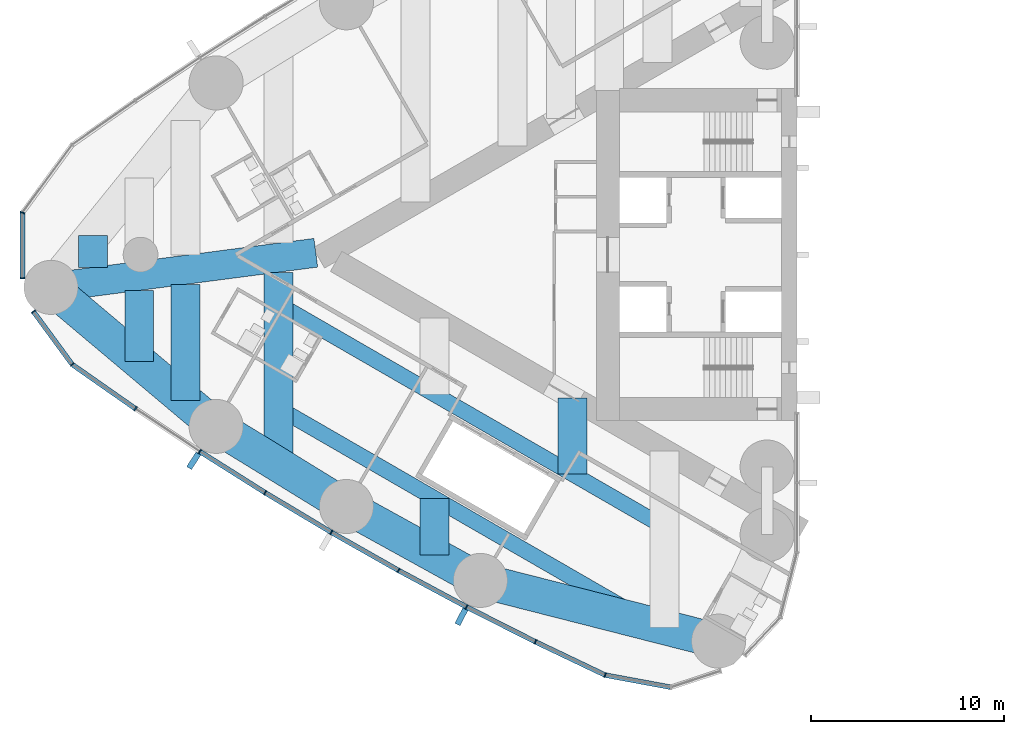
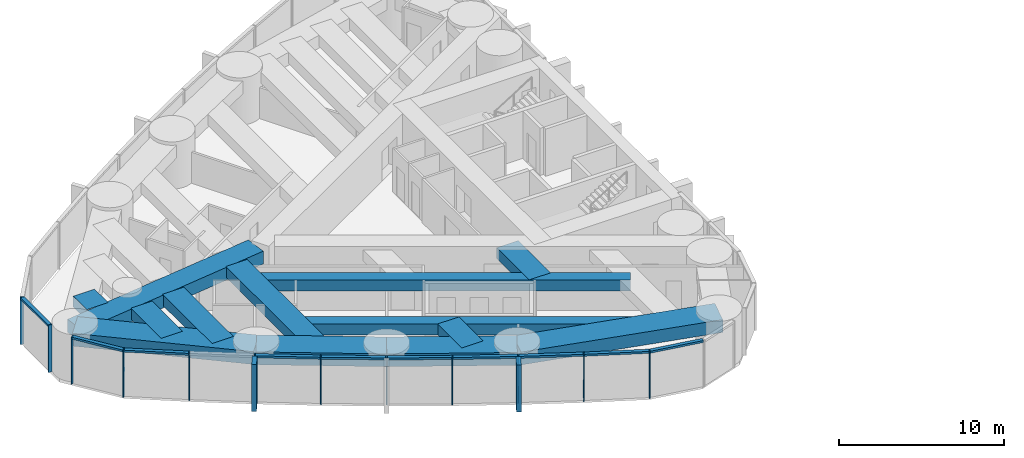
# One storey, part 2 of 19: 24 members, 13 beams, 2 elements without a shape of their own.
"""IFC4 building model written with IfcOpenShell, lengths in metres."""

from ifc_helpers import new_model, si_unit, direction, frame, origin, origin_2d, place, context, subcontext, project, spatial, rectangle, hollow_rectangle, extrude, material, material_profile, profile_set, type_object, element, aggregate, save


model = new_model("IFC4")

# Units and contexts
model_context = context("Model", 3, precision=1e-05, world=origin(), true_north=direction((0.0, 1.0)))
body_context = subcontext(model_context, "Body", "Model", "MODEL_VIEW")
ifc_project = project(units=[si_unit("LENGTHUNIT", "METRE"), si_unit("AREAUNIT", "SQUARE_METRE"), si_unit("VOLUMEUNIT", "CUBIC_METRE"), si_unit("PLANEANGLEUNIT", "RADIAN"), si_unit("MASSUNIT", "GRAM", prefix="KILO")], contexts=[model_context])

# Site, building, storey
site_placement = place(None, origin())
site = spatial("IfcSite", under=ifc_project, at=site_placement, CompositionType="ELEMENT")
building_placement = place(site_placement, origin())
building = spatial("IfcBuilding", under=site, at=building_placement, Name="Lancet Gate Hotel", CompositionType="ELEMENT")
storey_placement = place(building_placement, frame((0.0, 0.0, 163.300048828125)))
storey = spatial("IfcBuildingStorey", under=building, at=storey_placement, Name="L43", CompositionType="ELEMENT", Elevation=163.300048828125)

# Curtain wall, members
ifc_material_1 = material(Name="Aluminium curtain wall", Category="aluminium")
curtain_wall_type = type_object("IfcCurtainWallType", Name="Tower unitised curtain wall", PredefinedType="USERDEFINED", material=ifc_material_1)
curtain_wall_1_placement = place(storey_placement, origin())
curtain_wall_1 = element("IfcCurtainWall", 1, at=curtain_wall_1_placement, inside=storey, type_object=curtain_wall_type, Name="T1 L43 curtain wall 2", ObjectType="UNITISED CURTAIN WALL", PredefinedType="USERDEFINED")
ifc_material_2 = material(Name="Aluminium mullion", Category="aluminium")
ifc_material_profile_1 = material_profile(ifc_material_2, rectangle(XDim=0.06494140625, YDim=0.25, at=origin_2d()), Name="MULLION 65x250")
ifc_profile_set_1 = profile_set([ifc_material_profile_1], Name="Aluminium mullion")
member_type_1 = type_object("IfcMemberType", Name="Aluminium mullion 65x250", PredefinedType="MULLION", material=ifc_profile_set_1)
member_1_placement = place(storey_placement, frame((-67.61572265625, 2.177490234375, 0.0), z_axis=(0.0, 0.0, 1.0), x_axis=(-0.349199411078, -0.937048435943, 0.0)))
member_1 = element("IfcMember", 2, at=member_1_placement, type_object=member_type_1, Name="T1 L43 curtain wall 2 mullion 12", PredefinedType="MULLION", context=body_context, shape_type="SweptSolid", body=[
    extrude(rectangle(XDim=0.06494140625, YDim=0.25, at=origin_2d()), origin(), (0.0, 0.0, 1.0), 3.5),
])
member_2_placement = place(storey_placement, frame((-67.61572265625, -1.220458984375, 0.0), z_axis=(0.0, 0.0, 1.0), x_axis=(0.0, -1.0, 0.0)))
member_2 = element("IfcMember", 3, at=member_2_placement, type_object=member_type_1, Name="T1 L43 curtain wall 2 mullion 13", PredefinedType="MULLION", context=body_context, shape_type="SweptSolid", body=[
    extrude(rectangle(XDim=0.06494140625, YDim=0.25, at=origin_2d()), origin(), (0.0, 0.0, 1.0), 3.5),
])

curtain_wall_2_placement = place(storey_placement, origin())
curtain_wall_2 = element("IfcCurtainWall", 4, at=curtain_wall_2_placement, inside=storey, type_object=curtain_wall_type, Name="T1 L43 curtain wall 3", ObjectType="UNITISED CURTAIN WALL", PredefinedType="USERDEFINED")
member_3_placement = place(storey_placement, frame((-67.05029296875, -2.948486328125, 0.0), z_axis=(0.0, 0.0, 1.0), x_axis=(0.591299785592, -0.806451835858, 0.0)))
member_3 = element("IfcMember", 5, at=member_3_placement, type_object=member_type_1, Name="T1 L43 curtain wall 3 mullion 1", PredefinedType="MULLION", context=body_context, shape_type="SweptSolid", body=[
    extrude(rectangle(XDim=0.06494140625, YDim=0.25, at=origin_2d()), origin(), (0.0, 0.0, 1.0), 3.5),
])
member_4_placement = place(storey_placement, frame((-65.040283203125, -5.68994140625, 0.0), z_axis=(0.0, 0.0, 1.0), x_axis=(0.724381882759, -0.689398932354, 0.0)))
member_4 = element("IfcMember", 6, at=member_4_placement, type_object=member_type_1, Name="T1 L43 curtain wall 3 mullion 2", PredefinedType="MULLION", context=body_context, shape_type="SweptSolid", body=[
    extrude(rectangle(XDim=0.06494140625, YDim=0.25, at=origin_2d()), origin(), (0.0, 0.0, 1.0), 3.5),
])
member_5_placement = place(storey_placement, frame((-61.7626953125, -7.980712890625, 0.0), z_axis=(0.0, 0.0, 1.0), x_axis=(0.826312172542, -0.563212387568, 0.0)))
member_5 = element("IfcMember", 7, at=member_5_placement, type_object=member_type_1, Name="T1 L43 curtain wall 3 mullion 3", PredefinedType="MULLION", context=body_context, shape_type="SweptSolid", body=[
    extrude(rectangle(XDim=0.06494140625, YDim=0.25, at=origin_2d()), origin(), (0.0, 0.0, 1.0), 3.5),
])
member_6_placement = place(storey_placement, frame((-58.43212890625, -10.194091796875, 0.0), z_axis=(0.0, 0.0, 1.0), x_axis=(0.839331119324, -0.54362052218, 0.0)))
member_6 = element("IfcMember", 8, at=member_6_placement, type_object=member_type_1, Name="T1 L43 curtain wall 3 mullion 4", PredefinedType="MULLION", context=body_context, shape_type="SweptSolid", body=[
    extrude(rectangle(XDim=0.06494140625, YDim=0.25, at=origin_2d()), origin(), (0.0, 0.0, 1.0), 3.5),
])
member_7_placement = place(storey_placement, frame((-55.05029296875, -12.328369140625, 0.0), z_axis=(0.0, 0.0, 1.0), x_axis=(0.851885635531, -0.52372785297, 0.0)))
member_7 = element("IfcMember", 9, at=member_7_placement, type_object=member_type_1, Name="T1 L43 curtain wall 3 mullion 5", PredefinedType="MULLION", context=body_context, shape_type="SweptSolid", body=[
    extrude(rectangle(XDim=0.06494140625, YDim=0.25, at=origin_2d()), origin(), (0.0, 0.0, 1.0), 3.5),
])
member_8_placement = place(storey_placement, frame((-51.619384765625, -14.38232421875, 0.0), z_axis=(0.0, 0.0, 1.0), x_axis=(0.863968774311, -0.503545387245, 0.0)))
member_8 = element("IfcMember", 10, at=member_8_placement, type_object=member_type_1, Name="T1 L43 curtain wall 3 mullion 6", PredefinedType="MULLION", context=body_context, shape_type="SweptSolid", body=[
    extrude(rectangle(XDim=0.06494140625, YDim=0.25, at=origin_2d()), origin(), (0.0, 0.0, 1.0), 3.5),
])
member_9_placement = place(storey_placement, frame((-48.140869140625, -16.355224609375, 0.0), z_axis=(0.0, 0.0, 1.0), x_axis=(0.87557384965, -0.483084292654, 0.0)))
member_9 = element("IfcMember", 11, at=member_9_placement, type_object=member_type_1, Name="T1 L43 curtain wall 3 mullion 7", PredefinedType="MULLION", context=body_context, shape_type="SweptSolid", body=[
    extrude(rectangle(XDim=0.06494140625, YDim=0.25, at=origin_2d()), origin(), (0.0, 0.0, 1.0), 3.5),
])
member_10_placement = place(storey_placement, frame((-44.6171875, -18.245849609375, 0.0), z_axis=(0.0, 0.0, 1.0), x_axis=(0.886694440064, -0.462355891019, 0.0)))
member_10 = element("IfcMember", 12, at=member_10_placement, type_object=member_type_1, Name="T1 L43 curtain wall 3 mullion 8", PredefinedType="MULLION", context=body_context, shape_type="SweptSolid", body=[
    extrude(rectangle(XDim=0.06494140625, YDim=0.25, at=origin_2d()), origin(), (0.0, 0.0, 1.0), 3.5),
])
member_11_placement = place(storey_placement, frame((-41.0498046875, -20.052978515625, 0.0), z_axis=(0.0, 0.0, 1.0), x_axis=(0.897324392142, -0.441371652088, 0.0)))
member_11 = element("IfcMember", 13, at=member_11_placement, type_object=member_type_1, Name="T1 L43 curtain wall 3 mullion 9", PredefinedType="MULLION", context=body_context, shape_type="SweptSolid", body=[
    extrude(rectangle(XDim=0.06494140625, YDim=0.25, at=origin_2d()), origin(), (0.0, 0.0, 1.0), 3.5),
])
member_12_placement = place(storey_placement, frame((-37.44091796875, -21.775634765625, 0.0), z_axis=(0.0, 0.0, 1.0), x_axis=(0.948119321052, -0.317914694609, 0.0)))
member_12 = element("IfcMember", 14, at=member_12_placement, type_object=member_type_1, Name="T1 L43 curtain wall 3 mullion 10", PredefinedType="MULLION", context=body_context, shape_type="SweptSolid", body=[
    extrude(rectangle(XDim=0.06494140625, YDim=0.25, at=origin_2d()), origin(), (0.0, 0.0, 1.0), 3.5),
])

# Member
ifc_material_3 = material(Name="Aluminium transom", Category="aluminium")
ifc_material_profile_2 = material_profile(ifc_material_3, rectangle(XDim=0.25, YDim=0.14990234375, at=origin_2d()), Name="TRANSOM 250x150")
ifc_profile_set_2 = profile_set([ifc_material_profile_2], Name="Aluminium transom")
member_type_2 = type_object("IfcMemberType", Name="Aluminium transom 250x150", PredefinedType="USERDEFINED", material=ifc_profile_set_2)
member_13_placement = place(storey_placement, frame((-67.61572265625, 2.14501953125, 3.425048828125), z_axis=(0.0, -1.0, 0.0), x_axis=(1.0, 0.0, 0.0)))
member_13 = element("IfcMember", 15, at=member_13_placement, type_object=member_type_2, Name="T1 L43 curtain wall 2 transom 12", ObjectType="TRANSOM", PredefinedType="USERDEFINED", context=body_context, shape_type="SweptSolid", body=[
    extrude(rectangle(XDim=0.25, YDim=0.14990234375, at=origin_2d()), origin(), (0.0, 0.0, 1.0), 3.3330078125),
])

aggregate(curtain_wall_1, [member_1, member_2, member_13])

member_14_placement = place(storey_placement, frame((-67.031005859375, -2.974853515625, 3.425048828125), z_axis=(0.591306519832, -0.806446898193, 0.0), x_axis=(0.806446898193, 0.591306519832, 0.0)))
member_14 = element("IfcMember", 16, at=member_14_placement, type_object=member_type_2, Name="T1 L43 curtain wall 3 transom 1", ObjectType="TRANSOM", PredefinedType="USERDEFINED", context=body_context, shape_type="SweptSolid", body=[
    extrude(rectangle(XDim=0.25, YDim=0.14990234375, at=origin_2d()), origin(), (0.0, 0.0, 1.0), 3.333984375),
])

member_15_placement = place(storey_placement, frame((-65.013671875, -5.70849609375, 3.425048828125), z_axis=(0.819636985462, -0.572883244704, 0.0), x_axis=(0.572883244704, 0.819636985462, 0.0)))
member_15 = element("IfcMember", 17, at=member_15_placement, type_object=member_type_2, Name="T1 L43 curtain wall 3 transom 2", ObjectType="TRANSOM", PredefinedType="USERDEFINED", context=body_context, shape_type="SweptSolid", body=[
    extrude(rectangle(XDim=0.25, YDim=0.14990234375, at=origin_2d()), origin(), (0.0, 0.0, 1.0), 3.933837890625),
])

member_16_placement = place(storey_placement, frame((-58.40478515625, -10.21142578125, 3.425048828125), z_axis=(0.845671711095, -0.53370343549, 0.0), x_axis=(0.53370343549, 0.845671711095, 0.0)))
member_16 = element("IfcMember", 18, at=member_16_placement, type_object=member_type_2, Name="T1 L43 curtain wall 3 transom 4", ObjectType="TRANSOM", PredefinedType="USERDEFINED", context=body_context, shape_type="SweptSolid", body=[
    extrude(rectangle(XDim=0.25, YDim=0.14990234375, at=origin_2d()), origin(), (0.0, 0.0, 1.0), 3.93408203125),
])

member_17_placement = place(storey_placement, frame((-55.0224609375, -12.344970703125, 3.425048828125), z_axis=(0.857985365092, -0.513674131419, 0.0), x_axis=(0.513674131419, 0.857985365092, 0.0)))
member_17 = element("IfcMember", 19, at=member_17_placement, type_object=member_type_2, Name="T1 L43 curtain wall 3 transom 5", ObjectType="TRANSOM", PredefinedType="USERDEFINED", context=body_context, shape_type="SweptSolid", body=[
    extrude(rectangle(XDim=0.25, YDim=0.14990234375, at=origin_2d()), origin(), (0.0, 0.0, 1.0), 3.933837890625),
])

member_18_placement = place(storey_placement, frame((-51.591064453125, -14.3984375, 3.425048828125), z_axis=(0.869819807367, -0.493369539709, 0.0), x_axis=(0.493369539709, 0.869819807367, 0.0)))
member_18 = element("IfcMember", 20, at=member_18_placement, type_object=member_type_2, Name="T1 L43 curtain wall 3 transom 6", ObjectType="TRANSOM", PredefinedType="USERDEFINED", context=body_context, shape_type="SweptSolid", body=[
    extrude(rectangle(XDim=0.25, YDim=0.14990234375, at=origin_2d()), origin(), (0.0, 0.0, 1.0), 3.93408203125),
])

member_19_placement = place(storey_placement, frame((-48.1123046875, -16.37060546875, 3.425048828125), z_axis=(0.881185491994, -0.472770693571, 0.0), x_axis=(0.472770693571, 0.881185491994, 0.0)))
member_19 = element("IfcMember", 21, at=member_19_placement, type_object=member_type_2, Name="T1 L43 curtain wall 3 transom 7", ObjectType="TRANSOM", PredefinedType="USERDEFINED", context=body_context, shape_type="SweptSolid", body=[
    extrude(rectangle(XDim=0.25, YDim=0.14990234375, at=origin_2d()), origin(), (0.0, 0.0, 1.0), 3.93408203125),
])

member_20_placement = place(storey_placement, frame((-44.588134765625, -18.260498046875, 3.425048828125), z_axis=(0.892081477453, -0.451874581699, 0.0), x_axis=(0.451874581699, 0.892081477453, 0.0)))
member_20 = element("IfcMember", 22, at=member_20_placement, type_object=member_type_2, Name="T1 L43 curtain wall 3 transom 8", ObjectType="TRANSOM", PredefinedType="USERDEFINED", context=body_context, shape_type="SweptSolid", body=[
    extrude(rectangle(XDim=0.25, YDim=0.14990234375, at=origin_2d()), origin(), (0.0, 0.0, 1.0), 3.933837890625),
])

member_21_placement = place(storey_placement, frame((-41.0205078125, -20.06689453125, 3.425048828125), z_axis=(0.902468975385, -0.430754858902, 0.0), x_axis=(0.430754858902, 0.902468975385, 0.0)))
member_21 = element("IfcMember", 23, at=member_21_placement, type_object=member_type_2, Name="T1 L43 curtain wall 3 transom 9", ObjectType="TRANSOM", PredefinedType="USERDEFINED", context=body_context, shape_type="SweptSolid", body=[
    extrude(rectangle(XDim=0.25, YDim=0.14990234375, at=origin_2d()), origin(), (0.0, 0.0, 1.0), 3.93408203125),
])

member_22_placement = place(storey_placement, frame((-37.408935546875, -21.781494140625, 3.425048828125), z_axis=(0.983286757871, -0.182063592724, 0.0), x_axis=(0.182063592724, 0.983286757871, 0.0)))
member_22 = element("IfcMember", 24, at=member_22_placement, type_object=member_type_2, Name="T1 L43 curtain wall 3 transom 10", ObjectType="TRANSOM", PredefinedType="USERDEFINED", context=body_context, shape_type="SweptSolid", body=[
    extrude(rectangle(XDim=0.25, YDim=0.14990234375, at=origin_2d()), origin(), (0.0, 0.0, 1.0), 3.406005859375),
])

# Beams
ifc_material_4 = material(Name="Concrete C50/60", Category="concrete")
ifc_material_profile_3 = material_profile(ifc_material_4, rectangle(XDim=1.800048828125, YDim=0.949951171875, at=origin_2d()), Name="RC 1800x950")
ifc_profile_set_3 = profile_set([ifc_material_profile_3], Name="Concrete C50/60")
beam_type_1 = type_object("IfcBeamType", Name="Edge beam RC 1800x950", PredefinedType="SPANDREL", material=ifc_profile_set_3)
beam_1_placement = place(storey_placement, frame((-66.142578125, -1.6953125, 2.77490234375), z_axis=(0.765120708367, -0.64388687021, 0.0), x_axis=(0.64388687021, 0.765120708367, 0.0)))
element("IfcBeam", 25, at=beam_1_placement, inside=storey, type_object=beam_type_1, Name="T1 edge beam EB1 L43", PredefinedType="SPANDREL", context=body_context, shape_type="SweptSolid", body=[
    extrude(rectangle(XDim=1.800048828125, YDim=0.949951171875, at=origin_2d()), origin(), (0.0, 0.0, 1.0), 11.1787109375),
])
beam_2_placement = place(storey_placement, frame((-57.589599609375, -8.89306640625, 2.77490234375), z_axis=(0.851892008043, -0.523717487423, 0.0), x_axis=(0.523717487423, 0.851892008043, 0.0)))
element("IfcBeam", 26, at=beam_2_placement, inside=storey, type_object=beam_type_1, Name="T1 edge beam EB1 L43", PredefinedType="SPANDREL", context=body_context, shape_type="SweptSolid", body=[
    extrude(rectangle(XDim=1.800048828125, YDim=0.949951171875, at=origin_2d()), origin(), (0.0, 0.0, 1.0), 7.92431640625),
])
beam_3_placement = place(storey_placement, frame((-50.8388671875, -13.043212890625, 2.77490234375), z_axis=(0.875577684027, -0.483077342911, 0.0), x_axis=(0.483077342911, 0.875577684027, 0.0)))
element("IfcBeam", 27, at=beam_3_placement, inside=storey, type_object=beam_type_1, Name="T1 edge beam EB1 L43", PredefinedType="SPANDREL", context=body_context, shape_type="SweptSolid", body=[
    extrude(rectangle(XDim=1.800048828125, YDim=0.949951171875, at=origin_2d()), origin(), (0.0, 0.0, 1.0), 7.924560546875),
])
beam_4_placement = place(storey_placement, frame((-43.900390625, -16.871337890625, 2.77490234375), z_axis=(0.969008414312, -0.247027717052, 0.0), x_axis=(0.247027717052, 0.969008414312, 0.0)))
element("IfcBeam", 28, at=beam_4_placement, inside=storey, type_object=beam_type_1, Name="T1 edge beam EB1 L43", PredefinedType="SPANDREL", context=body_context, shape_type="SweptSolid", body=[
    extrude(rectangle(XDim=1.800048828125, YDim=0.949951171875, at=origin_2d()), origin(), (0.0, 0.0, 1.0), 12.7294921875),
])

# Member
ifc_material_5 = material(Name="Precast concrete C50/60", Category="concrete")
ifc_material_profile_4 = material_profile(ifc_material_5, rectangle(XDim=0.300048828125, YDim=0.89990234375, at=origin_2d()), Name="FIN 300x900")
ifc_profile_set_4 = profile_set([ifc_material_profile_4], Name="Precast concrete C50/60")
member_type_3 = type_object("IfcMemberType", Name="Exposed concrete fin 300x900", PredefinedType="USERDEFINED", material=ifc_profile_set_4)
member_23_placement = place(storey_placement, frame((-58.74462890625, -10.6767578125, 0.0), z_axis=(0.0, 0.0, 1.0), x_axis=(0.839331119324, -0.54362052218, 0.0)))
member_23 = element("IfcMember", 29, at=member_23_placement, type_object=member_type_3, Name="T1 L43 curtain wall 3 fin 4", ObjectType="FIN", PredefinedType="USERDEFINED", context=body_context, shape_type="SweptSolid", body=[
    extrude(rectangle(XDim=0.300048828125, YDim=0.89990234375, at=origin_2d()), origin(), (0.0, 0.0, 1.0), 3.5),
])

member_24_placement = place(storey_placement, frame((-44.883056640625, -18.755615234375, 0.0), z_axis=(0.0, 0.0, 1.0), x_axis=(0.886694440064, -0.462355891019, 0.0)))
member_24 = element("IfcMember", 30, at=member_24_placement, type_object=member_type_3, Name="T1 L43 curtain wall 3 fin 8", ObjectType="FIN", PredefinedType="USERDEFINED", context=body_context, shape_type="SweptSolid", body=[
    extrude(rectangle(XDim=0.300048828125, YDim=0.89990234375, at=origin_2d()), origin(), (0.0, 0.0, 1.0), 3.5),
])

aggregate(curtain_wall_2, [member_3, member_4, member_5, member_6, member_23, member_7, member_8, member_9, member_10, member_24, member_11, member_12, member_14, member_15, member_16, member_17, member_18, member_19, member_20, member_21, member_22])

# Beams
ifc_material_6 = material(Name="Concrete C50/60", Category="concrete")
ifc_material_profile_5 = material_profile(ifc_material_6, rectangle(XDim=1.5, YDim=0.800048828125, at=origin_2d()), Name="RC 1500x800")
ifc_profile_set_5 = profile_set([ifc_material_profile_5], Name="Concrete C50/60")
beam_type_2 = type_object("IfcBeamType", Name="Floor beam RC 1500x800", PredefinedType="BEAM", material=ifc_profile_set_5)
beam_5_placement = place(storey_placement, frame((-54.3681640625, -0.9130859375, 2.849853515625), z_axis=(0.0, -1.0, 0.0), x_axis=(1.0, 0.0, 0.0)))
element("IfcBeam", 31, at=beam_5_placement, inside=storey, type_object=beam_type_2, Name="T1 floor beam F11N L43", PredefinedType="BEAM", context=body_context, shape_type="SweptSolid", body=[
    extrude(rectangle(XDim=1.5, YDim=0.800048828125, at=origin_2d()), origin(), (0.0, 0.0, 1.0), 9.96044921875),
])
beam_6_placement = place(storey_placement, frame((-59.168212890625, -1.54052734375, 2.849853515625), z_axis=(0.0, -1.0, 0.0), x_axis=(1.0, 0.0, 0.0)))
element("IfcBeam", 32, at=beam_6_placement, inside=storey, type_object=beam_type_2, Name="T1 floor beam F13N L43", PredefinedType="BEAM", context=body_context, shape_type="SweptSolid", body=[
    extrude(rectangle(XDim=1.5, YDim=0.800048828125, at=origin_2d()), origin(), (0.0, 0.0, 1.0), 6.02392578125),
])
beam_7_placement = place(storey_placement, frame((-61.568359375, -1.85400390625, 2.849853515625), z_axis=(0.0, -1.0, 0.0), x_axis=(1.0, 0.0, 0.0)))
element("IfcBeam", 33, at=beam_7_placement, inside=storey, type_object=beam_type_2, Name="T1 floor beam F15N L43", PredefinedType="BEAM", context=body_context, shape_type="SweptSolid", body=[
    extrude(rectangle(XDim=1.5, YDim=0.800048828125, at=origin_2d()), origin(), (0.0, 0.0, 1.0), 3.69091796875),
])
beam_8_placement = place(storey_placement, frame((-63.96826171875, 0.996337890625, 2.849853515625), z_axis=(0.0, -1.0, 0.0), x_axis=(1.0, 0.0, 0.0)))
element("IfcBeam", 34, at=beam_8_placement, inside=storey, type_object=beam_type_2, Name="T1 floor beam F16S L43", PredefinedType="BEAM", context=body_context, shape_type="SweptSolid", body=[
    extrude(rectangle(XDim=1.5, YDim=0.800048828125, at=origin_2d()), origin(), (0.0, 0.0, 1.0), 1.6513671875),
])
beam_9_placement = place(storey_placement, frame((-39.122314453125, -7.41650390625, 2.849853515625), z_axis=(0.0, -1.0, 0.0), x_axis=(1.0, 0.0, 0.0)))
element("IfcBeam", 35, at=beam_9_placement, inside=storey, type_object=beam_type_2, Name="T1 floor beam F05NA L43", PredefinedType="BEAM", context=body_context, shape_type="SweptSolid", body=[
    extrude(rectangle(XDim=1.5, YDim=0.800048828125, at=origin_2d()), origin(), (0.0, 0.0, 1.0), 3.945556640625),
])
beam_10_placement = place(storey_placement, frame((-46.27587890625, -12.61962890625, 2.849853515625), z_axis=(0.0, -1.0, 0.0), x_axis=(1.0, 0.0, 0.0)))
element("IfcBeam", 36, at=beam_10_placement, inside=storey, type_object=beam_type_2, Name="T1 floor beam F08NB L43", PredefinedType="BEAM", context=body_context, shape_type="SweptSolid", body=[
    extrude(rectangle(XDim=1.5, YDim=0.800048828125, at=origin_2d()), origin(), (0.0, 0.0, 1.0), 2.941162109375),
])
ifc_material_7 = material(Name="Concrete C50/60", Category="concrete")
ifc_material_profile_6 = material_profile(ifc_material_7, rectangle(XDim=1.5, YDim=0.949951171875, at=origin_2d()), Name="RC 1500x950")
ifc_profile_set_6 = profile_set([ifc_material_profile_6], Name="Concrete C50/60")
beam_type_3 = type_object("IfcBeamType", Name="Radial floor beam RC 1500x950", PredefinedType="BEAM", material=ifc_profile_set_6)
beam_11_placement = place(storey_placement, frame((-66.142578125, -1.6953125, 2.77490234375), z_axis=(0.991571259053, 0.129562487702, 0.0), x_axis=(-0.129562487702, 0.991571259053, 0.0)))
element("IfcBeam", 37, at=beam_11_placement, inside=storey, type_object=beam_type_3, Name="T1 radial beam CA L43", PredefinedType="BEAM", context=body_context, shape_type="SweptSolid", body=[
    extrude(rectangle(XDim=1.5, YDim=0.949951171875, at=origin_2d()), origin(), (0.0, 0.0, 1.0), 13.8349609375),
])
ifc_material_8 = material(Name="Steel S460QL", Category="steel")
ifc_material_profile_7 = material_profile(ifc_material_8, hollow_rectangle(XDim=0.800048828125, YDim=0.800048828125, WallThickness=0.080078125, at=origin_2d()), Name="BOX 800x800x80")
ifc_profile_set_7 = profile_set([ifc_material_profile_7], Name="Steel S460QL")
beam_type_4 = type_object("IfcBeamType", Name="Trimmer beam BOX 800x800x80", PredefinedType="BEAM", material=ifc_profile_set_7)
beam_12_placement = place(storey_placement, frame((-34.353515625, -14.115234375, 2.849853515625), z_axis=(-0.866035353112, 0.499982766863, 0.0), x_axis=(-0.499982766863, -0.866035353112, 0.0)))
element("IfcBeam", 38, at=beam_12_placement, inside=storey, type_object=beam_type_4, Name="T1 trimmer beam TR01N L43", PredefinedType="BEAM", context=body_context, shape_type="SweptSolid", body=[
    extrude(hollow_rectangle(XDim=0.800048828125, YDim=0.800048828125, WallThickness=0.080078125, at=origin_2d()), origin(), (0.0, 0.0, 1.0), 23.110595703125),
])
beam_13_placement = place(storey_placement, frame((-34.966552734375, -19.14892578125, 2.849853515625), z_axis=(-0.866032239169, 0.499988160579, 0.0), x_axis=(-0.499988160579, -0.866032239169, 0.0)))
element("IfcBeam", 39, at=beam_13_placement, inside=storey, type_object=beam_type_4, Name="T1 trimmer beam TR02N L43", PredefinedType="BEAM", context=body_context, shape_type="SweptSolid", body=[
    extrude(hollow_rectangle(XDim=0.800048828125, YDim=0.800048828125, WallThickness=0.080078125, at=origin_2d()), origin(), (0.0, 0.0, 1.0), 22.40283203125),
])

save(model, "model.ifc")
